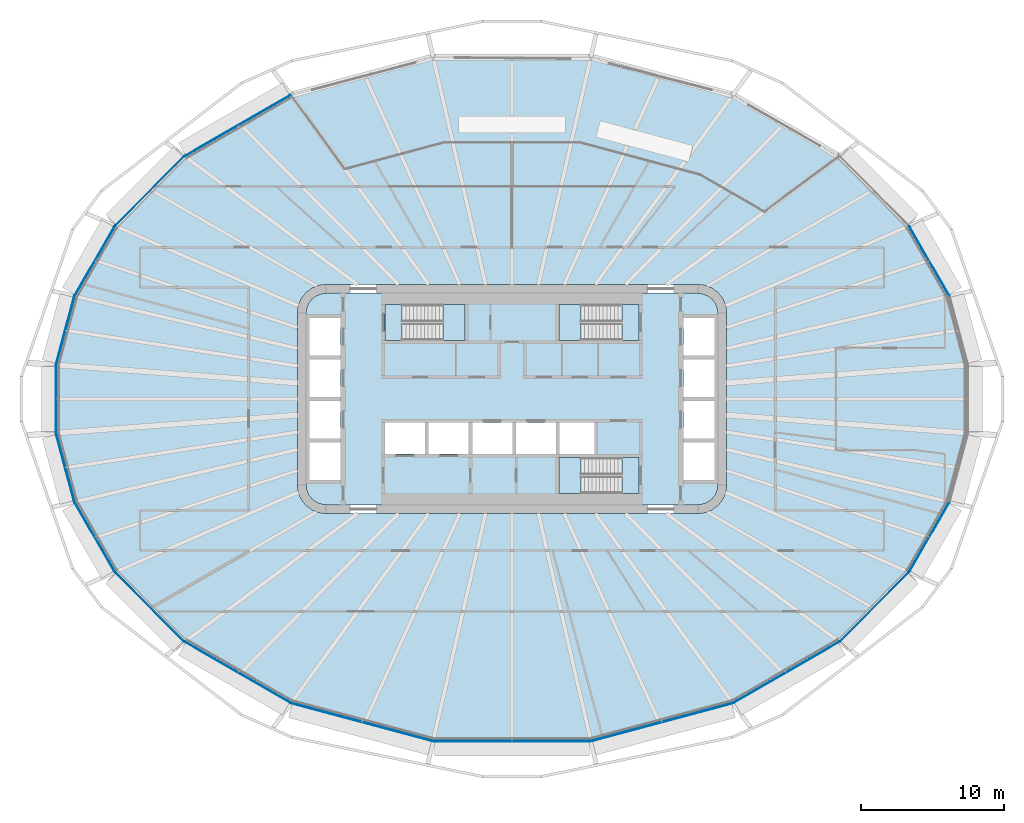
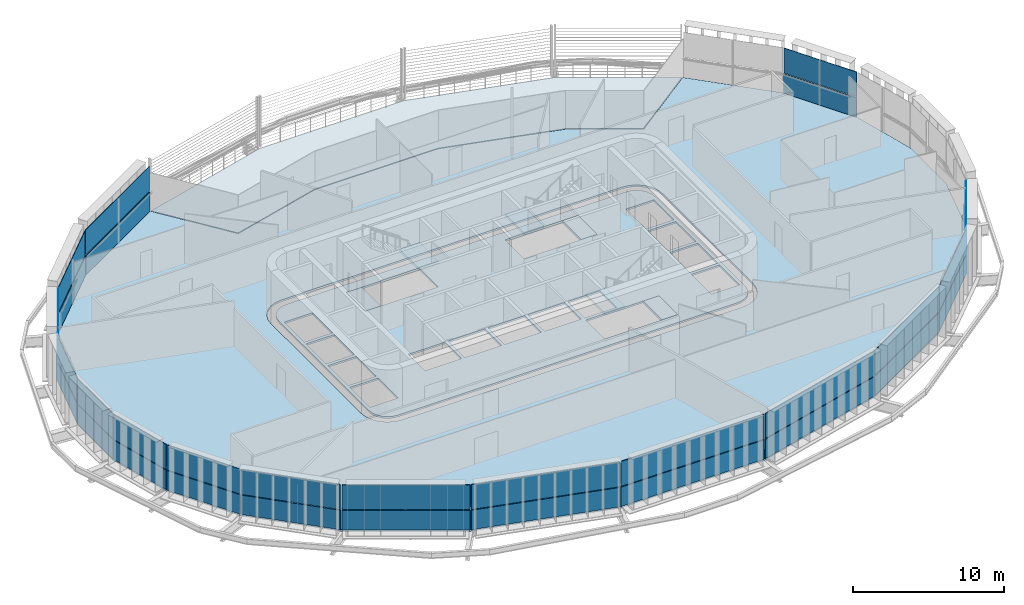
# One storey, part 12 of 24: 32 plates, 9 slabs, 19 elements without a shape of their own.
"""IFC4 building model written with IfcOpenShell, lengths in metres."""

from ifc_helpers import new_model, si_unit, direction, frame, origin, place, context, subcontext, project, spatial, polyline, outline, extrude, material, layer, layer_set, type_object, element, aggregate, save


model = new_model("IFC4")

# Units and contexts
model_context = context("Model", 3, precision=1e-05, world=origin(), true_north=direction((0.0, 1.0)))
body_context = subcontext(model_context, "Body", "Model", "MODEL_VIEW")
ifc_project = project(units=[si_unit("LENGTHUNIT", "METRE"), si_unit("AREAUNIT", "SQUARE_METRE"), si_unit("VOLUMEUNIT", "CUBIC_METRE"), si_unit("PLANEANGLEUNIT", "RADIAN"), si_unit("MASSUNIT", "GRAM", prefix="KILO")], contexts=[model_context])

# Site, building, storey
site_placement = place(None, origin())
site = spatial("IfcSite", under=ifc_project, at=site_placement, CompositionType="ELEMENT")
building_placement = place(site_placement, origin())
building = spatial("IfcBuilding", under=site, at=building_placement, Name="Sahrelin Media Tower", CompositionType="ELEMENT")
storey_placement = place(building_placement, frame((0.0, 0.0, 118.800048828125)))
storey = spatial("IfcBuildingStorey", under=building, at=storey_placement, Name="L23", CompositionType="ELEMENT", Elevation=118.800048828125)

# Slabs
ifc_material_1 = material(Name="Concrete C40/50", Category="concrete")
ifc_layer_1 = layer(ifc_material_1, 0.14990234375)
ifc_layer_set_1 = layer_set([ifc_layer_1], Name="Composite floor slab 150")
slab_type_1 = type_object("IfcSlabType", Name="Composite floor slab 150", PredefinedType="FLOOR", material=ifc_layer_set_1)
placement_1 = place(storey_placement, frame((0.0, 0.0, -0.150146484375)))
element("IfcSlab", 1, at=placement_1, inside=storey, type_object=slab_type_1, Name="Floor slab L23", PredefinedType="FLOOR", context=body_context, shape_type="SweptSolid", body=[
    extrude(outline(polyline([(30.573486328125, -7.187744140625), (31.86181640625, -2.379638671875), (31.86181640625, 2.379638671875), (30.573486328125, 7.187744140625), (27.7412109375, 12.09326171875), (22.874755859375, 16.959716796875), (22.869384765625, 16.962646484375), (17.634765625, 13.080078125), (13.137939453125, 15.67626953125), (4.73046875, 17.928955078125), (-4.73046875, 17.928955078125), (-11.67578125, 16.068115234375), (-15.44140625, 21.25), (-15.4462890625, 21.248779296875), (-22.874755859375, 16.959716796875), (-27.7412109375, 12.09326171875), (-30.573486328125, 7.187744140625), (-31.86181640625, 2.379638671875), (-31.86181640625, -2.379638671875), (-30.573486328125, -7.187744140625), (-27.7412109375, -12.09326171875), (-22.874755859375, -16.959716796875), (-15.4462890625, -21.248779296875), (-5.517578125, -23.908935546875), (5.517578125, -23.908935546875), (15.4462890625, -21.248779296875), (22.874755859375, -16.959716796875), (27.7412109375, -12.09326171875), (30.573486328125, -7.187744140625)]), holes=[polyline([(14.732177734375, 7.0), (14.931884765625, 6.517578125), (15.0, 6.0), (15.0, -6.0), (14.931884765625, -6.517578125), (14.732177734375, -7.0), (14.414306640625, -7.414306640625), (14.0, -7.732177734375), (13.517578125, -7.931884765625), (13.0, -8.0), (-13.0, -8.0), (-13.517578125, -7.931884765625), (-14.0, -7.732177734375), (-14.414306640625, -7.414306640625), (-14.732177734375, -7.0), (-14.931884765625, -6.517578125), (-15.0, -6.0), (-15.0, 6.0), (-14.931884765625, 6.517578125), (-14.732177734375, 7.0), (-14.414306640625, 7.414306640625), (-14.0, 7.732177734375), (-13.517578125, 7.931884765625), (-13.0, 8.0), (13.0, 8.0), (13.517578125, 7.931884765625), (14.0, 7.732177734375), (14.414306640625, 7.414306640625), (14.732177734375, 7.0)])]), origin(), (0.0, 0.0, 1.0), 0.150146484375),
])
ifc_layer_2 = layer(ifc_material_1, 0.14990234375)
ifc_layer_set_2 = layer_set([ifc_layer_2], Name="Core floor slab 150")
slab_type_2 = type_object("IfcSlabType", Name="Core floor slab 150", PredefinedType="FLOOR", material=ifc_layer_set_2)
element("IfcSlab", 2, at=placement_1, inside=storey, type_object=slab_type_2, Name="Core floor", PredefinedType="FLOOR", context=body_context, shape_type="SweptSolid", body=[
    extrude(outline(polyline([(-14.347412109375, 6.361083984375), (-14.39990234375, 5.960693359375), (-14.39990234375, -5.960693359375), (-14.347412109375, -6.361083984375), (-14.2080078125, -6.697509765625), (-13.986328125, -6.986328125), (-13.697509765625, -7.2080078125), (-13.361083984375, -7.347412109375), (-12.960693359375, -7.39990234375), (12.960693359375, -7.39990234375), (13.361083984375, -7.347412109375), (13.697509765625, -7.2080078125), (13.986328125, -6.986328125), (14.2080078125, -6.697509765625), (14.347412109375, -6.361083984375), (14.39990234375, -5.960693359375), (14.39990234375, 5.960693359375), (14.347412109375, 6.361083984375), (14.2080078125, 6.697509765625), (13.986328125, 6.986328125), (13.697509765625, 7.2080078125), (13.361083984375, 7.347412109375), (12.960693359375, 7.39990234375), (-12.960693359375, 7.39990234375), (-13.361083984375, 7.347412109375), (-13.697509765625, 7.2080078125), (-13.986328125, 6.986328125), (-14.2080078125, 6.697509765625), (-14.347412109375, 6.361083984375)]), holes=[polyline([(-12.0, 3.02490234375), (-12.0, 5.675048828125), (-14.14990234375, 5.675048828125), (-14.14990234375, 3.02490234375), (-12.0, 3.02490234375)]), polyline([(-14.14990234375, 0.125), (-12.0, 0.125), (-12.0, 2.77490234375), (-14.14990234375, 2.77490234375), (-14.14990234375, 0.125)]), polyline([(-14.14990234375, -0.125), (-14.14990234375, -2.77490234375), (-12.0, -2.77490234375), (-12.0, -0.125), (-14.14990234375, -0.125)]), polyline([(-12.0, -3.02490234375), (-14.14990234375, -3.02490234375), (-14.14990234375, -5.675048828125), (-12.0, -5.675048828125), (-12.0, -3.02490234375)]), polyline([(14.14990234375, 3.02490234375), (14.14990234375, 5.675048828125), (12.0, 5.675048828125), (12.0, 3.02490234375), (14.14990234375, 3.02490234375)]), polyline([(12.0, 0.125), (14.14990234375, 0.125), (14.14990234375, 2.77490234375), (12.0, 2.77490234375), (12.0, 0.125)]), polyline([(12.0, -0.125), (12.0, -2.77490234375), (14.14990234375, -2.77490234375), (14.14990234375, -0.125), (12.0, -0.125)]), polyline([(14.14990234375, -3.02490234375), (12.0, -3.02490234375), (12.0, -5.675048828125), (14.14990234375, -5.675048828125), (14.14990234375, -3.02490234375)]), polyline([(-6.074951171875, -3.85009765625), (-6.074951171875, -1.64990234375), (-8.875, -1.64990234375), (-8.875, -3.85009765625), (-6.074951171875, -3.85009765625)]), polyline([(-5.824951171875, -3.85009765625), (-3.02490234375, -3.85009765625), (-3.02490234375, -1.64990234375), (-5.824951171875, -1.64990234375), (-5.824951171875, -3.85009765625)]), polyline([(-2.77490234375, -1.64990234375), (-2.77490234375, -3.85009765625), (0.02490234375, -3.85009765625), (0.02490234375, -1.64990234375), (-2.77490234375, -1.64990234375)]), polyline([(3.074951171875, -1.64990234375), (0.27490234375, -1.64990234375), (0.27490234375, -3.85009765625), (3.074951171875, -3.85009765625), (3.074951171875, -1.64990234375)]), polyline([(5.77490234375, -3.85009765625), (5.77490234375, -1.64990234375), (3.324951171875, -1.64990234375), (3.324951171875, -3.85009765625), (5.77490234375, -3.85009765625)]), polyline([(-8.875, 6.60009765625), (-8.875, 4.10009765625), (-3.27490234375, 4.10009765625), (-3.27490234375, 6.60009765625), (-8.875, 6.60009765625)]), polyline([(3.27490234375, 4.10009765625), (8.875, 4.10009765625), (8.875, 6.60009765625), (3.27490234375, 6.60009765625), (3.27490234375, 4.10009765625)]), polyline([(3.27490234375, -4.10009765625), (3.27490234375, -6.60009765625), (8.875, -6.60009765625), (8.875, -4.10009765625), (3.27490234375, -4.10009765625)])]), origin(), (0.0, 0.0, 1.0), 0.150146484375),
])

# Curtain wall, plate
ifc_material_2 = material(Name="Champagne anodised aluminium 6063-T6", Category="aluminium")
ifc_layer_3 = layer(ifc_material_2, 0.14990234375)
ifc_layer_set_3 = layer_set([ifc_layer_3], Name="Tower ribbon curtain wall")
curtain_wall_type = type_object("IfcCurtainWallType", Name="Tower ribbon curtain wall", PredefinedType="NOTDEFINED", material=ifc_layer_set_3)
curtain_wall_1_placement = place(storey_placement, frame((29.174560546875, 9.650390625, 0.0), z_axis=(0.0, 0.0, 1.0), x_axis=(1.0, 0.0, 0.0)))
curtain_wall_1 = element("IfcCurtainWall", 3, at=curtain_wall_1_placement, inside=storey, type_object=curtain_wall_type, Name="L23:CW:L23-02", PredefinedType="NOTDEFINED")
ifc_material_3 = material(Name="Clear low-iron glazing", Category="glass")
ifc_layer_4 = layer(ifc_material_3, 0.0400390625)
ifc_layer_set_4 = layer_set([ifc_layer_4], Name="Glazing panel 40 mm CW1")
plate_type_1 = type_object("IfcPlateType", Name="Glazing panel 40 mm CW1", PredefinedType="CURTAIN_PANEL", material=ifc_layer_set_4)
plate_1_placement = place(storey_placement, frame((30.584228515625, 7.248779296875, 1.6298828125), z_axis=(0.866038866029, 0.499976681983, 0.0), x_axis=(-0.499976681983, 0.866038866029, 0.0)))
plate_1 = element("IfcPlate", 4, at=plate_1_placement, type_object=plate_type_1, Name="L23:CWP2:L23-02", PredefinedType="CURTAIN_PANEL", context=body_context, shape_type="SweptSolid", body=[
    extrude(outline(polyline([(0.0, 0.0), (5.569580078125, 0.0), (5.569580078125, 2.0185546875), (0.0, 2.0185546875), (0.0, 0.0)])), origin(), (0.0, 0.0, -1.0), 0.0400390625),
])

curtain_wall_2_placement = place(storey_placement, frame((-19.17041015625, 19.12158203125, 0.0), z_axis=(0.0, 0.0, 1.0), x_axis=(1.0, 0.0, 0.0)))
curtain_wall_2 = element("IfcCurtainWall", 5, at=curtain_wall_2_placement, inside=storey, type_object=curtain_wall_type, Name="L23:CW:L23-08", PredefinedType="NOTDEFINED")
plate_2_placement = place(storey_placement, frame((-15.507080078125, 21.259521484375, 1.6298828125), z_axis=(-0.499986524641, 0.866033183647, 0.0), x_axis=(-0.866033183647, -0.499986524641, 0.0)))
plate_2 = element("IfcPlate", 6, at=plate_2_placement, type_object=plate_type_1, Name="L23:CWP2:L23-08", PredefinedType="CURTAIN_PANEL", context=body_context, shape_type="SweptSolid", body=[
    extrude(outline(polyline([(0.0, 0.0), (8.483154296875, 0.0), (8.483154296875, 2.0185546875), (0.0, 2.0185546875), (0.0, 0.0)])), origin(), (0.0, 0.0, -1.0), 0.0400390625),
])

curtain_wall_3_placement = place(storey_placement, frame((-25.322021484375, 14.54052734375, 0.0), z_axis=(0.0, 0.0, 1.0), x_axis=(1.0, 0.0, 0.0)))
curtain_wall_3 = element("IfcCurtainWall", 7, at=curtain_wall_3_placement, inside=storey, type_object=curtain_wall_type, Name="L23:CW:L23-09", PredefinedType="NOTDEFINED")
plate_3_placement = place(storey_placement, frame((-22.9365234375, 16.95458984375, 1.6298828125), z_axis=(-0.707106781187, 0.707106781187, 0.0), x_axis=(-0.707106781187, -0.707106781187, 0.0)))
plate_3 = element("IfcPlate", 8, at=plate_3_placement, type_object=plate_type_1, Name="L23:CWP2:L23-09", PredefinedType="CURTAIN_PANEL", context=body_context, shape_type="SweptSolid", body=[
    extrude(outline(polyline([(0.0, 0.0), (6.78759765625, 0.0), (6.78759765625, 2.0185546875), (0.0, 2.0185546875), (0.0, 0.0)])), origin(), (0.0, 0.0, -1.0), 0.0400390625),
])

curtain_wall_4_placement = place(storey_placement, frame((-29.174560546875, 9.650390625, 0.0), z_axis=(0.0, 0.0, 1.0), x_axis=(1.0, 0.0, 0.0)))
curtain_wall_4 = element("IfcCurtainWall", 9, at=curtain_wall_4_placement, inside=storey, type_object=curtain_wall_type, Name="L23:CW:L23-10", PredefinedType="NOTDEFINED")
plate_4_placement = place(storey_placement, frame((-27.799560546875, 12.072265625, 1.6298828125), z_axis=(-0.866038866029, 0.499976681983, 0.0), x_axis=(-0.499976681983, -0.866038866029, 0.0)))
plate_4 = element("IfcPlate", 10, at=plate_4_placement, type_object=plate_type_1, Name="L23:CWP2:L23-10", PredefinedType="CURTAIN_PANEL", context=body_context, shape_type="SweptSolid", body=[
    extrude(outline(polyline([(0.0, 0.0), (5.569580078125, 0.0), (5.569580078125, 2.0185546875), (0.0, 2.0185546875), (0.0, 0.0)])), origin(), (0.0, 0.0, -1.0), 0.0400390625),
])

curtain_wall_5_placement = place(storey_placement, frame((-31.23681640625, 4.788818359375, 0.0), z_axis=(0.0, 0.0, 1.0), x_axis=(1.0, 0.0, 0.0)))
curtain_wall_5 = element("IfcCurtainWall", 11, at=curtain_wall_5_placement, inside=storey, type_object=curtain_wall_type, Name="L23:CW:L23-11", PredefinedType="NOTDEFINED")
plate_5_placement = place(storey_placement, frame((-30.624267578125, 7.15234375, 1.6298828125), z_axis=(-0.965919706818, 0.258841882199, 0.0), x_axis=(-0.258841882199, -0.965919706818, 0.0)))
plate_5 = element("IfcPlate", 12, at=plate_5_placement, type_object=plate_type_1, Name="L23:CWP2:L23-11", PredefinedType="CURTAIN_PANEL", context=body_context, shape_type="SweptSolid", body=[
    extrude(outline(polyline([(0.0, 0.0), (4.883056640625, 0.0), (4.883056640625, 2.0185546875), (0.0, 2.0185546875), (0.0, 0.0)])), origin(), (0.0, 0.0, -1.0), 0.0400390625),
])

curtain_wall_6_placement = place(storey_placement, frame((-31.881591796875, 0.0, 0.0), z_axis=(0.0, 0.0, 1.0), x_axis=(1.0, 0.0, 0.0)))
curtain_wall_6 = element("IfcCurtainWall", 13, at=curtain_wall_6_placement, inside=storey, type_object=curtain_wall_type, Name="L23:CW:L23-12", PredefinedType="NOTDEFINED")
plate_6_placement = place(storey_placement, frame((-31.901611328125, 2.332275390625, 1.6298828125), z_axis=(-1.0, 0.0, 0.0), x_axis=(0.0, -1.0, 0.0)))
plate_6 = element("IfcPlate", 14, at=plate_6_placement, type_object=plate_type_1, Name="L23:CWP2:L23-12", PredefinedType="CURTAIN_PANEL", context=body_context, shape_type="SweptSolid", body=[
    extrude(outline(polyline([(0.0, 0.0), (4.66455078125, 0.0), (4.66455078125, 2.0185546875), (0.0, 2.0185546875), (0.0, 0.0)])), origin(), (0.0, 0.0, -1.0), 0.0400390625),
])

curtain_wall_7_placement = place(storey_placement, frame((-31.23681640625, -4.788818359375, 0.0), z_axis=(0.0, 0.0, 1.0), x_axis=(1.0, 0.0, 0.0)))
curtain_wall_7 = element("IfcCurtainWall", 15, at=curtain_wall_7_placement, inside=storey, type_object=curtain_wall_type, Name="L23:CW:L23-13", PredefinedType="NOTDEFINED")
plate_7_placement = place(storey_placement, frame((-31.88818359375, -2.435791015625, 1.6298828125), z_axis=(-0.965919706818, -0.258841882199, 0.0), x_axis=(0.258841882199, -0.965919706818, 0.0)))
plate_7 = element("IfcPlate", 16, at=plate_7_placement, type_object=plate_type_1, Name="L23:CWP2:L23-13", PredefinedType="CURTAIN_PANEL", context=body_context, shape_type="SweptSolid", body=[
    extrude(outline(polyline([(0.0, 0.0), (4.883056640625, 0.0), (4.883056640625, 2.0185546875), (0.0, 2.0185546875), (0.0, 0.0)])), origin(), (0.0, 0.0, -1.0), 0.0400390625),
])

curtain_wall_8_placement = place(storey_placement, frame((-29.174560546875, -9.650390625, 0.0), z_axis=(0.0, 0.0, 1.0), x_axis=(1.0, 0.0, 0.0)))
curtain_wall_8 = element("IfcCurtainWall", 17, at=curtain_wall_8_placement, inside=storey, type_object=curtain_wall_type, Name="L23:CW:L23-14", PredefinedType="NOTDEFINED")
plate_8_placement = place(storey_placement, frame((-30.584228515625, -7.248779296875, 1.6298828125), z_axis=(-0.866038866029, -0.499976681983, 0.0), x_axis=(0.499976681983, -0.866038866029, 0.0)))
plate_8 = element("IfcPlate", 18, at=plate_8_placement, type_object=plate_type_1, Name="L23:CWP2:L23-14", PredefinedType="CURTAIN_PANEL", context=body_context, shape_type="SweptSolid", body=[
    extrude(outline(polyline([(0.0, 0.0), (5.569580078125, 0.0), (5.569580078125, 2.0185546875), (0.0, 2.0185546875), (0.0, 0.0)])), origin(), (0.0, 0.0, -1.0), 0.0400390625),
])

curtain_wall_9_placement = place(storey_placement, frame((-25.322021484375, -14.54052734375, 0.0), z_axis=(0.0, 0.0, 1.0), x_axis=(1.0, 0.0, 0.0)))
curtain_wall_9 = element("IfcCurtainWall", 19, at=curtain_wall_9_placement, inside=storey, type_object=curtain_wall_type, Name="L23:CW:L23-15", PredefinedType="NOTDEFINED")
plate_9_placement = place(storey_placement, frame((-27.736083984375, -12.155029296875, 1.6298828125), z_axis=(-0.707106781187, -0.707106781187, 0.0), x_axis=(0.707106781187, -0.707106781187, 0.0)))
plate_9 = element("IfcPlate", 20, at=plate_9_placement, type_object=plate_type_1, Name="L23:CWP2:L23-15", PredefinedType="CURTAIN_PANEL", context=body_context, shape_type="SweptSolid", body=[
    extrude(outline(polyline([(0.0, 0.0), (6.78759765625, 0.0), (6.78759765625, 2.0185546875), (0.0, 2.0185546875), (0.0, 0.0)])), origin(), (0.0, 0.0, -1.0), 0.0400390625),
])

curtain_wall_10_placement = place(storey_placement, frame((-19.17041015625, -19.12158203125, 0.0), z_axis=(0.0, 0.0, 1.0), x_axis=(1.0, 0.0, 0.0)))
curtain_wall_10 = element("IfcCurtainWall", 21, at=curtain_wall_10_placement, inside=storey, type_object=curtain_wall_type, Name="L23:CW:L23-16", PredefinedType="NOTDEFINED")
plate_10_placement = place(storey_placement, frame((-22.853759765625, -17.01806640625, 1.6298828125), z_axis=(-0.499986524641, -0.866033183647, 0.0), x_axis=(0.866033183647, -0.499986524641, 0.0)))
plate_10 = element("IfcPlate", 22, at=plate_10_placement, type_object=plate_type_1, Name="L23:CWP2:L23-16", PredefinedType="CURTAIN_PANEL", context=body_context, shape_type="SweptSolid", body=[
    extrude(outline(polyline([(0.0, 0.0), (8.483154296875, 0.0), (8.483154296875, 2.0185546875), (0.0, 2.0185546875), (0.0, 0.0)])), origin(), (0.0, 0.0, -1.0), 0.0400390625),
])

curtain_wall_11_placement = place(storey_placement, frame((-10.487060546875, -22.59814453125, 0.0), z_axis=(0.0, 0.0, 1.0), x_axis=(1.0, 0.0, 0.0)))
curtain_wall_11 = element("IfcCurtainWall", 23, at=curtain_wall_11_placement, inside=storey, type_object=curtain_wall_type, Name="L23:CW:L23-17", PredefinedType="NOTDEFINED")
plate_11_placement = place(storey_placement, frame((-15.410888671875, -21.299560546875, 1.6298828125), z_axis=(-0.258808380379, -0.96592868383, 0.0), x_axis=(0.96592868383, -0.258808380379, 0.0)))
plate_11 = element("IfcPlate", 24, at=plate_11_placement, type_object=plate_type_1, Name="L23:CWP2:L23-17", PredefinedType="CURTAIN_PANEL", context=body_context, shape_type="SweptSolid", body=[
    extrude(outline(polyline([(0.0, 0.0), (10.18408203125, 0.0), (10.18408203125, 2.0185546875), (0.0, 2.0185546875), (0.0, 0.0)])), origin(), (0.0, 0.0, -1.0), 0.0400390625),
])

curtain_wall_12_placement = place(storey_placement, frame((0.0, -23.928955078125, 0.0), z_axis=(0.0, 0.0, 1.0), x_axis=(1.0, 0.0, 0.0)))
curtain_wall_12 = element("IfcCurtainWall", 25, at=curtain_wall_12_placement, inside=storey, type_object=curtain_wall_type, Name="L23:CW:L23-18", PredefinedType="NOTDEFINED")
plate_12_placement = place(storey_placement, frame((-5.47021484375, -23.948974609375, 1.6298828125), z_axis=(0.0, -1.0, 0.0), x_axis=(1.0, 0.0, 0.0)))
plate_12 = element("IfcPlate", 26, at=plate_12_placement, type_object=plate_type_1, Name="L23:CWP2:L23-18", PredefinedType="CURTAIN_PANEL", context=body_context, shape_type="SweptSolid", body=[
    extrude(outline(polyline([(0.0, 0.0), (10.9404296875, 0.0), (10.9404296875, 2.0185546875), (0.0, 2.0185546875), (0.0, 0.0)])), origin(), (0.0, 0.0, -1.0), 0.0400390625),
])

curtain_wall_13_placement = place(storey_placement, frame((10.487060546875, -22.59814453125, 0.0), z_axis=(0.0, 0.0, 1.0), x_axis=(1.0, 0.0, 0.0)))
curtain_wall_13 = element("IfcCurtainWall", 27, at=curtain_wall_13_placement, inside=storey, type_object=curtain_wall_type, Name="L23:CW:L23-19", PredefinedType="NOTDEFINED")
plate_13_placement = place(storey_placement, frame((5.57373046875, -23.935302734375, 1.6298828125), z_axis=(0.258808380379, -0.96592868383, 0.0), x_axis=(0.96592868383, 0.258808380379, 0.0)))
plate_13 = element("IfcPlate", 28, at=plate_13_placement, type_object=plate_type_1, Name="L23:CWP2:L23-19", PredefinedType="CURTAIN_PANEL", context=body_context, shape_type="SweptSolid", body=[
    extrude(outline(polyline([(0.0, 0.0), (10.18408203125, 0.0), (10.18408203125, 2.0185546875), (0.0, 2.0185546875), (0.0, 0.0)])), origin(), (0.0, 0.0, -1.0), 0.0400390625),
])

curtain_wall_14_placement = place(storey_placement, frame((19.17041015625, -19.12158203125, 0.0), z_axis=(0.0, 0.0, 1.0), x_axis=(1.0, 0.0, 0.0)))
curtain_wall_14 = element("IfcCurtainWall", 29, at=curtain_wall_14_placement, inside=storey, type_object=curtain_wall_type, Name="L23:CW:L23-20", PredefinedType="NOTDEFINED")
plate_14_placement = place(storey_placement, frame((15.507080078125, -21.259521484375, 1.6298828125), z_axis=(0.499986524641, -0.866033183647, 0.0), x_axis=(0.866033183647, 0.499986524641, 0.0)))
plate_14 = element("IfcPlate", 30, at=plate_14_placement, type_object=plate_type_1, Name="L23:CWP2:L23-20", PredefinedType="CURTAIN_PANEL", context=body_context, shape_type="SweptSolid", body=[
    extrude(outline(polyline([(0.0, 0.0), (8.483154296875, 0.0), (8.483154296875, 2.0185546875), (0.0, 2.0185546875), (0.0, 0.0)])), origin(), (0.0, 0.0, -1.0), 0.0400390625),
])

curtain_wall_15_placement = place(storey_placement, frame((25.322021484375, -14.54052734375, 0.0), z_axis=(0.0, 0.0, 1.0), x_axis=(1.0, 0.0, 0.0)))
curtain_wall_15 = element("IfcCurtainWall", 31, at=curtain_wall_15_placement, inside=storey, type_object=curtain_wall_type, Name="L23:CW:L23-21", PredefinedType="NOTDEFINED")
plate_15_placement = place(storey_placement, frame((22.9365234375, -16.95458984375, 1.6298828125), z_axis=(0.707106781187, -0.707106781187, 0.0), x_axis=(0.707106781187, 0.707106781187, 0.0)))
plate_15 = element("IfcPlate", 32, at=plate_15_placement, type_object=plate_type_1, Name="L23:CWP2:L23-21", PredefinedType="CURTAIN_PANEL", context=body_context, shape_type="SweptSolid", body=[
    extrude(outline(polyline([(0.0, 0.0), (6.78759765625, 0.0), (6.78759765625, 2.0185546875), (0.0, 2.0185546875), (0.0, 0.0)])), origin(), (0.0, 0.0, -1.0), 0.0400390625),
])

curtain_wall_16_placement = place(storey_placement, frame((29.174560546875, -9.650390625, 0.0), z_axis=(0.0, 0.0, 1.0), x_axis=(1.0, 0.0, 0.0)))
curtain_wall_16 = element("IfcCurtainWall", 33, at=curtain_wall_16_placement, inside=storey, type_object=curtain_wall_type, Name="L23:CW:L23-22", PredefinedType="NOTDEFINED")
plate_16_placement = place(storey_placement, frame((27.799560546875, -12.072265625, 1.6298828125), z_axis=(0.866038866029, -0.499976681983, 0.0), x_axis=(0.499976681983, 0.866038866029, 0.0)))
plate_16 = element("IfcPlate", 34, at=plate_16_placement, type_object=plate_type_1, Name="L23:CWP2:L23-22", PredefinedType="CURTAIN_PANEL", context=body_context, shape_type="SweptSolid", body=[
    extrude(outline(polyline([(0.0, 0.0), (5.569580078125, 0.0), (5.569580078125, 2.0185546875), (0.0, 2.0185546875), (0.0, 0.0)])), origin(), (0.0, 0.0, -1.0), 0.0400390625),
])

# Slab
ifc_layer_5 = layer(ifc_material_1, 0.199951171875)
ifc_layer_set_5 = layer_set([ifc_layer_5], Name="Sky garden terrace slab")
slab_type_3 = type_object("IfcSlabType", Name="Sky garden terrace slab", PredefinedType="FLOOR", material=ifc_layer_set_5)
placement_2 = place(storey_placement, frame((0.0, 0.0, -0.199951171875)))
element("IfcSlab", 35, at=placement_2, inside=storey, type_object=slab_type_3, Name="Sky garden terrace G2", PredefinedType="FLOOR", context=body_context, shape_type="SweptSolid", body=[
    extrude(outline(polyline([(5.513671875, 23.87890625), (15.4345703125, 21.220703125), (22.7958984375, 16.970458984375), (17.63134765625, 13.1396484375), (13.1572265625, 15.722900390625), (4.737060546875, 17.97900390625), (-4.737060546875, 17.97900390625), (-11.655517578125, 16.125244140625), (-15.37060546875, 21.23779296875), (-5.513671875, 23.87890625), (5.513671875, 23.87890625)])), origin(), (0.0, 0.0, 1.0), 0.199951171875),
])

# Plate
ifc_material_4 = material(Name="Insulated spandrel panel")
ifc_layer_6 = layer(ifc_material_4, 0.06005859375)
ifc_layer_set_6 = layer_set([ifc_layer_6], Name="Spandrel panel 60 mm CW1")
plate_type_2 = type_object("IfcPlateType", Name="Spandrel panel 60 mm CW1", PredefinedType="SHEET", material=ifc_layer_set_6)
plate_17_placement = place(storey_placement, frame((30.584228515625, 7.248779296875, 0.0), z_axis=(0.866038866029, 0.499976681983, 0.0), x_axis=(-0.499976681983, 0.866038866029, 0.0)))
plate_17 = element("IfcPlate", 36, at=plate_17_placement, type_object=plate_type_2, Name="L23:CWP1:L23-02", PredefinedType="SHEET", context=body_context, shape_type="SweptSolid", body=[
    extrude(outline(polyline([(0.0, 0.0), (5.569580078125, 0.0), (5.569580078125, 1.570068359375), (0.0, 1.570068359375), (0.0, 0.0)])), origin(), (0.0, 0.0, -1.0), 0.06005859375),
])

aggregate(curtain_wall_1, [plate_17, plate_1])

plate_18_placement = place(storey_placement, frame((-15.507080078125, 21.259521484375, 0.0), z_axis=(-0.499986524641, 0.866033183647, 0.0), x_axis=(-0.866033183647, -0.499986524641, 0.0)))
plate_18 = element("IfcPlate", 37, at=plate_18_placement, type_object=plate_type_2, Name="L23:CWP1:L23-08", PredefinedType="SHEET", context=body_context, shape_type="SweptSolid", body=[
    extrude(outline(polyline([(0.0, 0.0), (8.483154296875, 0.0), (8.483154296875, 1.570068359375), (0.0, 1.570068359375), (0.0, 0.0)])), origin(), (0.0, 0.0, -1.0), 0.06005859375),
])

aggregate(curtain_wall_2, [plate_18, plate_2])

plate_19_placement = place(storey_placement, frame((-22.9365234375, 16.95458984375, 0.0), z_axis=(-0.707106781187, 0.707106781187, 0.0), x_axis=(-0.707106781187, -0.707106781187, 0.0)))
plate_19 = element("IfcPlate", 38, at=plate_19_placement, type_object=plate_type_2, Name="L23:CWP1:L23-09", PredefinedType="SHEET", context=body_context, shape_type="SweptSolid", body=[
    extrude(outline(polyline([(0.0, 0.0), (6.78759765625, 0.0), (6.78759765625, 1.570068359375), (0.0, 1.570068359375), (0.0, 0.0)])), origin(), (0.0, 0.0, -1.0), 0.06005859375),
])

aggregate(curtain_wall_3, [plate_19, plate_3])

plate_20_placement = place(storey_placement, frame((-27.799560546875, 12.072265625, 0.0), z_axis=(-0.866038866029, 0.499976681983, 0.0), x_axis=(-0.499976681983, -0.866038866029, 0.0)))
plate_20 = element("IfcPlate", 39, at=plate_20_placement, type_object=plate_type_2, Name="L23:CWP1:L23-10", PredefinedType="SHEET", context=body_context, shape_type="SweptSolid", body=[
    extrude(outline(polyline([(0.0, 0.0), (5.569580078125, 0.0), (5.569580078125, 1.570068359375), (0.0, 1.570068359375), (0.0, 0.0)])), origin(), (0.0, 0.0, -1.0), 0.06005859375),
])

aggregate(curtain_wall_4, [plate_20, plate_4])

plate_21_placement = place(storey_placement, frame((-30.624267578125, 7.15234375, 0.0), z_axis=(-0.965919706818, 0.258841882199, 0.0), x_axis=(-0.258841882199, -0.965919706818, 0.0)))
plate_21 = element("IfcPlate", 40, at=plate_21_placement, type_object=plate_type_2, Name="L23:CWP1:L23-11", PredefinedType="SHEET", context=body_context, shape_type="SweptSolid", body=[
    extrude(outline(polyline([(0.0, 0.0), (4.883056640625, 0.0), (4.883056640625, 1.570068359375), (0.0, 1.570068359375), (0.0, 0.0)])), origin(), (0.0, 0.0, -1.0), 0.06005859375),
])

aggregate(curtain_wall_5, [plate_21, plate_5])

plate_22_placement = place(storey_placement, frame((-31.901611328125, 2.332275390625, 0.0), z_axis=(-1.0, 0.0, 0.0), x_axis=(0.0, -1.0, 0.0)))
plate_22 = element("IfcPlate", 41, at=plate_22_placement, type_object=plate_type_2, Name="L23:CWP1:L23-12", PredefinedType="SHEET", context=body_context, shape_type="SweptSolid", body=[
    extrude(outline(polyline([(0.0, 0.0), (4.66455078125, 0.0), (4.66455078125, 1.570068359375), (0.0, 1.570068359375), (0.0, 0.0)])), origin(), (0.0, 0.0, -1.0), 0.06005859375),
])

aggregate(curtain_wall_6, [plate_22, plate_6])

plate_23_placement = place(storey_placement, frame((-31.88818359375, -2.435791015625, 0.0), z_axis=(-0.965919706818, -0.258841882199, 0.0), x_axis=(0.258841882199, -0.965919706818, 0.0)))
plate_23 = element("IfcPlate", 42, at=plate_23_placement, type_object=plate_type_2, Name="L23:CWP1:L23-13", PredefinedType="SHEET", context=body_context, shape_type="SweptSolid", body=[
    extrude(outline(polyline([(0.0, 0.0), (4.883056640625, 0.0), (4.883056640625, 1.570068359375), (0.0, 1.570068359375), (0.0, 0.0)])), origin(), (0.0, 0.0, -1.0), 0.06005859375),
])

aggregate(curtain_wall_7, [plate_23, plate_7])

plate_24_placement = place(storey_placement, frame((-30.584228515625, -7.248779296875, 0.0), z_axis=(-0.866038866029, -0.499976681983, 0.0), x_axis=(0.499976681983, -0.866038866029, 0.0)))
plate_24 = element("IfcPlate", 43, at=plate_24_placement, type_object=plate_type_2, Name="L23:CWP1:L23-14", PredefinedType="SHEET", context=body_context, shape_type="SweptSolid", body=[
    extrude(outline(polyline([(0.0, 0.0), (5.569580078125, 0.0), (5.569580078125, 1.570068359375), (0.0, 1.570068359375), (0.0, 0.0)])), origin(), (0.0, 0.0, -1.0), 0.06005859375),
])

aggregate(curtain_wall_8, [plate_24, plate_8])

plate_25_placement = place(storey_placement, frame((-27.736083984375, -12.155029296875, 0.0), z_axis=(-0.707106781187, -0.707106781187, 0.0), x_axis=(0.707106781187, -0.707106781187, 0.0)))
plate_25 = element("IfcPlate", 44, at=plate_25_placement, type_object=plate_type_2, Name="L23:CWP1:L23-15", PredefinedType="SHEET", context=body_context, shape_type="SweptSolid", body=[
    extrude(outline(polyline([(0.0, 0.0), (6.78759765625, 0.0), (6.78759765625, 1.570068359375), (0.0, 1.570068359375), (0.0, 0.0)])), origin(), (0.0, 0.0, -1.0), 0.06005859375),
])

aggregate(curtain_wall_9, [plate_25, plate_9])

plate_26_placement = place(storey_placement, frame((-22.853759765625, -17.01806640625, 0.0), z_axis=(-0.499986524641, -0.866033183647, 0.0), x_axis=(0.866033183647, -0.499986524641, 0.0)))
plate_26 = element("IfcPlate", 45, at=plate_26_placement, type_object=plate_type_2, Name="L23:CWP1:L23-16", PredefinedType="SHEET", context=body_context, shape_type="SweptSolid", body=[
    extrude(outline(polyline([(0.0, 0.0), (8.483154296875, 0.0), (8.483154296875, 1.570068359375), (0.0, 1.570068359375), (0.0, 0.0)])), origin(), (0.0, 0.0, -1.0), 0.06005859375),
])

aggregate(curtain_wall_10, [plate_26, plate_10])

plate_27_placement = place(storey_placement, frame((-15.410888671875, -21.299560546875, 0.0), z_axis=(-0.258808380379, -0.96592868383, 0.0), x_axis=(0.96592868383, -0.258808380379, 0.0)))
plate_27 = element("IfcPlate", 46, at=plate_27_placement, type_object=plate_type_2, Name="L23:CWP1:L23-17", PredefinedType="SHEET", context=body_context, shape_type="SweptSolid", body=[
    extrude(outline(polyline([(0.0, 0.0), (10.18408203125, 0.0), (10.18408203125, 1.570068359375), (0.0, 1.570068359375), (0.0, 0.0)])), origin(), (0.0, 0.0, -1.0), 0.06005859375),
])

aggregate(curtain_wall_11, [plate_27, plate_11])

plate_28_placement = place(storey_placement, frame((-5.47021484375, -23.948974609375, 0.0), z_axis=(0.0, -1.0, 0.0), x_axis=(1.0, 0.0, 0.0)))
plate_28 = element("IfcPlate", 47, at=plate_28_placement, type_object=plate_type_2, Name="L23:CWP1:L23-18", PredefinedType="SHEET", context=body_context, shape_type="SweptSolid", body=[
    extrude(outline(polyline([(0.0, 0.0), (10.9404296875, 0.0), (10.9404296875, 1.570068359375), (0.0, 1.570068359375), (0.0, 0.0)])), origin(), (0.0, 0.0, -1.0), 0.06005859375),
])

aggregate(curtain_wall_12, [plate_28, plate_12])

plate_29_placement = place(storey_placement, frame((5.57373046875, -23.935302734375, 0.0), z_axis=(0.258808380379, -0.96592868383, 0.0), x_axis=(0.96592868383, 0.258808380379, 0.0)))
plate_29 = element("IfcPlate", 48, at=plate_29_placement, type_object=plate_type_2, Name="L23:CWP1:L23-19", PredefinedType="SHEET", context=body_context, shape_type="SweptSolid", body=[
    extrude(outline(polyline([(0.0, 0.0), (10.18408203125, 0.0), (10.18408203125, 1.570068359375), (0.0, 1.570068359375), (0.0, 0.0)])), origin(), (0.0, 0.0, -1.0), 0.06005859375),
])

aggregate(curtain_wall_13, [plate_29, plate_13])

plate_30_placement = place(storey_placement, frame((15.507080078125, -21.259521484375, 0.0), z_axis=(0.499986524641, -0.866033183647, 0.0), x_axis=(0.866033183647, 0.499986524641, 0.0)))
plate_30 = element("IfcPlate", 49, at=plate_30_placement, type_object=plate_type_2, Name="L23:CWP1:L23-20", PredefinedType="SHEET", context=body_context, shape_type="SweptSolid", body=[
    extrude(outline(polyline([(0.0, 0.0), (8.483154296875, 0.0), (8.483154296875, 1.570068359375), (0.0, 1.570068359375), (0.0, 0.0)])), origin(), (0.0, 0.0, -1.0), 0.06005859375),
])

aggregate(curtain_wall_14, [plate_30, plate_14])

plate_31_placement = place(storey_placement, frame((22.9365234375, -16.95458984375, 0.0), z_axis=(0.707106781187, -0.707106781187, 0.0), x_axis=(0.707106781187, 0.707106781187, 0.0)))
plate_31 = element("IfcPlate", 50, at=plate_31_placement, type_object=plate_type_2, Name="L23:CWP1:L23-21", PredefinedType="SHEET", context=body_context, shape_type="SweptSolid", body=[
    extrude(outline(polyline([(0.0, 0.0), (6.78759765625, 0.0), (6.78759765625, 1.570068359375), (0.0, 1.570068359375), (0.0, 0.0)])), origin(), (0.0, 0.0, -1.0), 0.06005859375),
])

aggregate(curtain_wall_15, [plate_31, plate_15])

plate_32_placement = place(storey_placement, frame((27.799560546875, -12.072265625, 0.0), z_axis=(0.866038866029, -0.499976681983, 0.0), x_axis=(0.499976681983, 0.866038866029, 0.0)))
plate_32 = element("IfcPlate", 51, at=plate_32_placement, type_object=plate_type_2, Name="L23:CWP1:L23-22", PredefinedType="SHEET", context=body_context, shape_type="SweptSolid", body=[
    extrude(outline(polyline([(0.0, 0.0), (5.569580078125, 0.0), (5.569580078125, 1.570068359375), (0.0, 1.570068359375), (0.0, 0.0)])), origin(), (0.0, 0.0, -1.0), 0.06005859375),
])

aggregate(curtain_wall_16, [plate_32, plate_16])

# Stair, slabs
stair_type = type_object("IfcStairType", Name="Exit stair 1200", PredefinedType="HALF_TURN_STAIR", material=ifc_material_1)
placement_3 = place(storey_placement, origin())
stair_1 = element("IfcStair", 52, at=placement_3, inside=storey, type_object=stair_type, Name="L23 Exit stair ST1", PredefinedType="HALF_TURN_STAIR")
ifc_layer_7 = layer(ifc_material_1, 0.199951171875)
ifc_layer_set_7 = layer_set([ifc_layer_7], Name="Stair landing 200")
slab_type_4 = type_object("IfcSlabType", Name="Stair landing 200", PredefinedType="LANDING", material=ifc_layer_set_7)
placement_4 = place(storey_placement, frame((0.0, 0.0, 1.89990234375)))
slab_4 = element("IfcSlab", 53, at=placement_4, type_object=slab_type_4, Name="ST1 landing 1", PredefinedType="LANDING", context=body_context, shape_type="SweptSolid", body=[
    extrude(outline(polyline([(-4.81494140625, 4.10009765625), (-3.27490234375, 4.10009765625), (-3.27490234375, 6.60009765625), (-4.81494140625, 6.60009765625), (-4.81494140625, 4.10009765625)])), origin(), (0.0, 0.0, 1.0), 0.199951171875),
])
slab_5 = element("IfcSlab", 54, at=placement_2, type_object=slab_type_4, Name="ST1 landing 2", PredefinedType="LANDING", context=body_context, shape_type="SweptSolid", body=[
    extrude(outline(polyline([(-8.875, 4.10009765625), (-7.675048828125, 4.10009765625), (-7.675048828125, 6.60009765625), (-8.875, 6.60009765625), (-8.875, 4.10009765625)])), origin(), (0.0, 0.0, 1.0), 0.199951171875),
])
aggregate(stair_1, [slab_4, slab_5])

stair_2 = element("IfcStair", 55, at=placement_3, inside=storey, type_object=stair_type, Name="L23 Exit stair ST3", PredefinedType="HALF_TURN_STAIR")
slab_6 = element("IfcSlab", 56, at=placement_4, type_object=slab_type_4, Name="ST3 landing 1", PredefinedType="LANDING", context=body_context, shape_type="SweptSolid", body=[
    extrude(outline(polyline([(4.81494140625, 6.60009765625), (3.27490234375, 6.60009765625), (3.27490234375, 4.10009765625), (4.81494140625, 4.10009765625), (4.81494140625, 6.60009765625)])), origin(), (0.0, 0.0, 1.0), 0.199951171875),
])
slab_7 = element("IfcSlab", 57, at=placement_2, type_object=slab_type_4, Name="ST3 landing 2", PredefinedType="LANDING", context=body_context, shape_type="SweptSolid", body=[
    extrude(outline(polyline([(8.875, 6.60009765625), (7.675048828125, 6.60009765625), (7.675048828125, 4.10009765625), (8.875, 4.10009765625), (8.875, 6.60009765625)])), origin(), (0.0, 0.0, 1.0), 0.199951171875),
])
aggregate(stair_2, [slab_6, slab_7])

stair_3 = element("IfcStair", 58, at=placement_3, inside=storey, type_object=stair_type, Name="L23 Exit stair ST2", PredefinedType="HALF_TURN_STAIR")
slab_8 = element("IfcSlab", 59, at=placement_4, type_object=slab_type_4, Name="ST2 landing 1", PredefinedType="LANDING", context=body_context, shape_type="SweptSolid", body=[
    extrude(outline(polyline([(4.81494140625, -4.10009765625), (3.27490234375, -4.10009765625), (3.27490234375, -6.60009765625), (4.81494140625, -6.60009765625), (4.81494140625, -4.10009765625)])), origin(), (0.0, 0.0, 1.0), 0.199951171875),
])
slab_9 = element("IfcSlab", 60, at=placement_2, type_object=slab_type_4, Name="ST2 landing 2", PredefinedType="LANDING", context=body_context, shape_type="SweptSolid", body=[
    extrude(outline(polyline([(8.875, -4.10009765625), (7.675048828125, -4.10009765625), (7.675048828125, -6.60009765625), (8.875, -6.60009765625), (8.875, -4.10009765625)])), origin(), (0.0, 0.0, 1.0), 0.199951171875),
])
aggregate(stair_3, [slab_8, slab_9])

save(model, "model.ifc")
